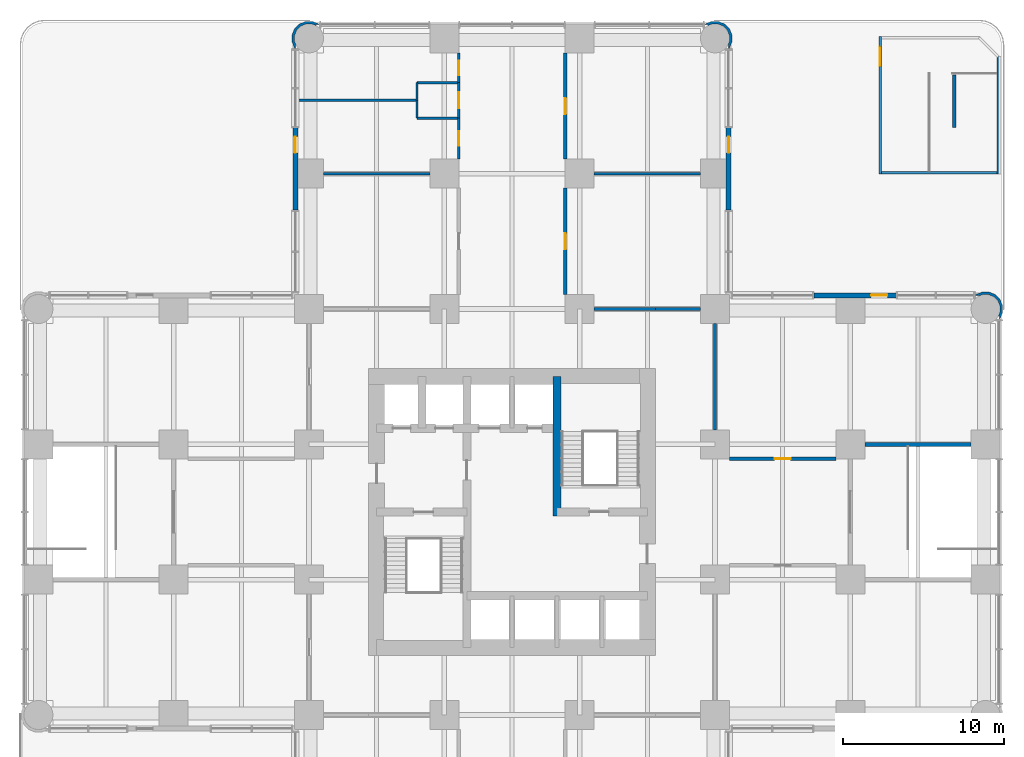
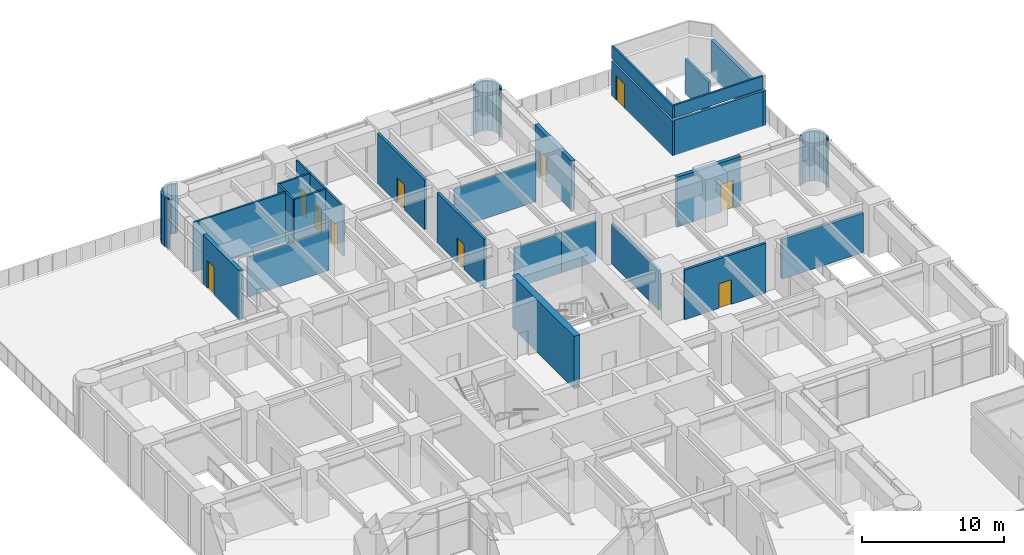
# One storey, part 12 of 21: 30 walls, 10 doors, 10 openings.
"""IFC4 building model written with IfcOpenShell, lengths in metres."""

import ifcopenshell
import ifcopenshell.guid

model = None  # the IFC model being written
_history = None  # IfcOwnerHistory: only IFC2X3 demands one
_inside = {}  # id of a spatial element -> (the spatial element, [elements in it])
_under = {}  # id of a project, library or spatial element -> (it, [spatial elements below it])
_declared = {}  # id of a project -> (the project, [libraries it declares])
_typed = {}  # id of a type object -> (the type object, [elements of that type])
_made_of = {}  # id of a material, layer set ... -> (it, [elements and type objects made of it])


def new_model(schema):
    """Start an empty IFC model of exactly this schema.

    Asked for "IFC4X3", IfcOpenShell would pick the latest addendum, in which some entities
    have other attributes; the version numbers below select the first issue.
    IFC2X3 requires an IfcOwnerHistory on every rooted entity: one is made here for all.
    """
    global model, _history
    if schema == "IFC4X3":
        model = ifcopenshell.file(schema_version=(4, 3, 0, 0))
    else:
        model = ifcopenshell.file(schema=schema)
    _inside.clear()
    _under.clear()
    _declared.clear()
    _typed.clear()
    _made_of.clear()
    _history = None
    if model.schema == "IFC2X3":
        org = make("IfcOrganization", Name="unknown")
        user = make(
            "IfcPersonAndOrganization",
            ThePerson=make("IfcPerson", FamilyName="unknown"),
            TheOrganization=org,
        )
        app = make(
            "IfcApplication",
            ApplicationDeveloper=org,
            Version="unknown",
            ApplicationFullName="unknown",
            ApplicationIdentifier="unknown",
        )
        _history = make(
            "IfcOwnerHistory",
            OwningUser=user,
            OwningApplication=app,
            ChangeAction="ADDED",
            CreationDate=0,
        )
    return model


def make(cls, **values):
    """One entity of the class cls with the attributes given. An attribute that is None is left unset."""
    return model.create_entity(
        cls, **{name: value for name, value in values.items() if value is not None}
    )


def rooted(cls, **values):
    """An entity with a GlobalId (a new one), such as an element, a storey or a relation."""
    return make(cls, GlobalId=ifcopenshell.guid.new(), OwnerHistory=_history, **values)


def si_unit(unit_type, name, prefix=None):
    """IfcSIUnit, for example si_unit("LENGTHUNIT", "METRE", prefix="MILLI")."""
    return make("IfcSIUnit", UnitType=unit_type, Prefix=prefix, Name=name)


def assignment(units):
    """IfcUnitAssignment: the units of a project."""
    return None if units is None else make("IfcUnitAssignment", Units=units)


def point(xyz):
    """IfcCartesianPoint."""
    return None if xyz is None else make("IfcCartesianPoint", Coordinates=xyz)


def direction(xyz):
    """IfcDirection."""
    return None if xyz is None else make("IfcDirection", DirectionRatios=xyz)


def frame(location, z_axis=None, x_axis=None):
    """IfcAxis2Placement3D, a coordinate frame: its origin and axes. An axis left out is left unset."""
    return make(
        "IfcAxis2Placement3D",
        Location=point(location),
        Axis=direction(z_axis),
        RefDirection=direction(x_axis),
    )


def frame_2d(location, x_axis=None):
    """IfcAxis2Placement2D, a coordinate frame in the plane: its origin and x axis."""
    return make(
        "IfcAxis2Placement2D", Location=point(location), RefDirection=direction(x_axis)
    )


def origin():
    """The frame at (0, 0, 0) with its axes left unset."""
    return frame((0.0, 0.0, 0.0))


def place(relative_to, where):
    """IfcLocalPlacement: puts the frame where relative to a parent placement (None: the world)."""
    return make(
        "IfcLocalPlacement", PlacementRelTo=relative_to, RelativePlacement=where
    )


def context(
    kind, dimensions, precision=None, world=None, true_north=None, identifier=None
):
    """IfcGeometricRepresentationContext, for example the 3D "Model" context."""
    return make(
        "IfcGeometricRepresentationContext",
        ContextIdentifier=identifier,
        ContextType=kind,
        CoordinateSpaceDimension=dimensions,
        Precision=precision,
        WorldCoordinateSystem=world,
        TrueNorth=true_north,
    )


def subcontext(parent, identifier, kind, view, scale=None):
    """IfcGeometricRepresentationSubContext, for example "Body" below "Model"."""
    return make(
        "IfcGeometricRepresentationSubContext",
        ContextIdentifier=identifier,
        ContextType=kind,
        ParentContext=parent,
        TargetScale=scale,
        TargetView=view,
    )


def project(units=None, contexts=None):
    """IfcProject with its units and contexts."""
    return rooted(
        "IfcProject",
        Name="project",
        RepresentationContexts=contexts,
        UnitsInContext=assignment(units),
    )


def spatial(cls, under=None, at=None, **own):
    """A site, building, storey or space (cls), placed at a placement, below another one or the project."""
    s = rooted(cls, ObjectPlacement=at, **own)
    if under is not None:
        _under.setdefault(under.id(), (under, []))[1].append(s)
    return s


def polyline(points):
    """IfcPolyline through the points."""
    return make("IfcPolyline", Points=[point(p) for p in points])


def profile(cls, at=None, kind="AREA", **sizes):
    """A parametric profile (cls). Its sizes go by their IFC names, for example OverallWidth=200.0."""
    return make(cls, ProfileType=kind, Position=at, **sizes)


def rectangle(**sizes):
    """IfcRectangleProfileDef."""
    return profile("IfcRectangleProfileDef", **sizes)


def outline(outer, holes=None, kind="AREA"):
    """IfcArbitraryClosedProfileDef: a profile drawn as a closed curve; with holes, ...WithVoids."""
    if holes is None:
        return make("IfcArbitraryClosedProfileDef", ProfileType=kind, OuterCurve=outer)
    return make(
        "IfcArbitraryProfileDefWithVoids",
        ProfileType=kind,
        OuterCurve=outer,
        InnerCurves=holes,
    )


def extrude(swept, where, along, depth):
    """IfcExtrudedAreaSolid: the profile swept, set in the frame where, extruded along a direction by depth."""
    return make(
        "IfcExtrudedAreaSolid",
        SweptArea=swept,
        Position=where,
        ExtrudedDirection=direction(along),
        Depth=depth,
    )


def shape(context_of_items, identifier, shape_type, items):
    """IfcShapeRepresentation: the items that make up one representation, for example the "Body"."""
    return make(
        "IfcShapeRepresentation",
        ContextOfItems=context_of_items,
        RepresentationIdentifier=identifier,
        RepresentationType=shape_type,
        Items=items,
    )


def material(Name=None, Category=None):
    """IfcMaterial."""
    return make("IfcMaterial", Name=Name, Category=Category)


def layer(
    of_material, thickness, ventilated=None, Name=None, Category=None, Priority=None
):
    """IfcMaterialLayer: one layer of a wall or slab, of a material (None: an air gap)."""
    return make(
        "IfcMaterialLayer",
        Material=of_material,
        LayerThickness=thickness,
        IsVentilated=ventilated,
        Name=Name,
        Category=Category,
        Priority=Priority,
    )


def layer_set(layers, Name=None):
    """IfcMaterialLayerSet."""
    return make("IfcMaterialLayerSet", MaterialLayers=layers, LayerSetName=Name)


def made_of(thing, what):
    """Note that an element or type object is made of a material, layer set ...; save() writes the relation."""
    if what is not None:
        _made_of.setdefault(what.id(), (what, []))[1].append(thing)
    return thing


def type_object(cls, material=None, **own):
    """A type object (cls), such as IfcWallType, which elements share."""
    return made_of(rooted(cls, **own), material)


def element(
    cls,
    number,
    at=None,
    inside=None,
    cuts=None,
    type_object=None,
    material=None,
    context=None,
    identifier="Body",
    shape_type=None,
    held_by="IfcProductDefinitionShape",
    body=None,
    shapes=None,
    **own,
):
    """One element of the class cls, such as IfcWall. Its Tag is "e" and its number.

    at: its placement. inside: the storey or other place that contains it. cuts: it is an
    opening in that element (IfcRelVoidsElement). A single representation is given by context,
    identifier, shape_type and body (its items); several are given by shapes. held_by: the class
    of the entity that holds the representations. save() writes the other relations.
    """
    e = rooted(cls, Tag="e%d" % number, ObjectPlacement=at, **own)
    if body is not None:
        shapes = [shape(context, identifier, shape_type, body)]
    if shapes is not None:
        e.Representation = make(held_by, Representations=shapes)
    if inside is not None:
        _inside.setdefault(inside.id(), (inside, []))[1].append(e)
    if cuts is not None:
        rooted(
            "IfcRelVoidsElement", RelatingBuildingElement=cuts, RelatedOpeningElement=e
        )
    if type_object is not None:
        _typed.setdefault(type_object.id(), (type_object, []))[1].append(e)
    return made_of(e, material)


def fill(opening, filler):
    """IfcRelFillsElement: the door or window that sits in an opening."""
    return rooted(
        "IfcRelFillsElement",
        RelatingOpeningElement=opening,
        RelatedBuildingElement=filler,
    )


def aggregate(whole, parts):
    """IfcRelAggregates: a whole, such as a stair, and the parts it consists of."""
    return rooted("IfcRelAggregates", RelatingObject=whole, RelatedObjects=parts)


def save(model, path):
    """Write the relations noted so far, then the file.

    IfcRelAggregates (storeys below a building ...), IfcRelContainedInSpatialStructure (elements
    in a storey), IfcRelDefinesByType, IfcRelAssociatesMaterial and IfcRelDeclares: one each for
    every whole, place, type object, material and project.
    """
    for whole, parts in _under.values():
        aggregate(whole, parts)
    for where, things in _inside.values():
        rooted(
            "IfcRelContainedInSpatialStructure",
            RelatedElements=things,
            RelatingStructure=where,
        )
    for kind, things in _typed.values():
        rooted("IfcRelDefinesByType", RelatedObjects=things, RelatingType=kind)
    for what, things in _made_of.values():
        rooted("IfcRelAssociatesMaterial", RelatedObjects=things, RelatingMaterial=what)
    for by, libraries in _declared.values():
        rooted("IfcRelDeclares", RelatingContext=by, RelatedDefinitions=libraries)
    model.write(path)


model = new_model("IFC4")

# Units and contexts
model_context = context("Model", 3, precision=1e-05, world=origin(), true_north=direction((0.0, 1.0)))
body_context = subcontext(model_context, "Body", "Model", "MODEL_VIEW")
ifc_project = project(units=[si_unit("LENGTHUNIT", "METRE"), si_unit("AREAUNIT", "SQUARE_METRE"), si_unit("VOLUMEUNIT", "CUBIC_METRE"), si_unit("PLANEANGLEUNIT", "RADIAN"), si_unit("MASSUNIT", "GRAM", prefix="KILO")], contexts=[model_context])

# Site, building, storey
site_placement = place(None, origin())
site = spatial("IfcSite", under=ifc_project, at=site_placement, CompositionType="ELEMENT")
building_placement = place(site_placement, origin())
building = spatial("IfcBuilding", under=site, at=building_placement, Name="Torre Alcanfor", CompositionType="ELEMENT")
storey_placement = place(building_placement, frame((0.0, 0.0, 24.0)))
storey = spatial("IfcBuildingStorey", under=building, at=storey_placement, Name="L05", CompositionType="ELEMENT", Elevation=24.0)

# Walls
ifc_material_1 = material(Name="Concrete block masonry, hollow blocks NMX-C-404 9 MPa", Category="masonry")
ifc_layer_1 = layer(ifc_material_1, 0.14990234375)
ifc_layer_set_1 = layer_set([ifc_layer_1], Name="Classroom partition 150")
wall_type_1 = type_object("IfcWallType", Name="Classroom partition 150", PredefinedType="PARTITIONING", material=ifc_layer_set_1)
wall_1_placement = place(storey_placement, frame((34.5, 50.39990234375, 0.0), z_axis=(0.0, 0.0, 1.0), x_axis=(1.0, 0.0, 0.0)))
element("IfcWall", 1, at=wall_1_placement, inside=storey, type_object=wall_type_1, Name="Partition L05-09 / L05-11", PredefinedType="PARTITIONING", context=body_context, shape_type="SweptSolid", body=[
    extrude(rectangle(XDim=6.60009765625, YDim=0.14990234375, at=frame_2d((3.300048828125, 0.0))), origin(), (0.0, 0.0, 1.0), 3.4091796875),
])
ifc_material_2 = material(Name="Concrete f'c 70 MPa", Category="concrete")
ifc_layer_2 = layer(ifc_material_2, 0.5)
ifc_layer_set_2 = layer_set([ifc_layer_2], Name="Core inner wall 500 f'c70")
wall_type_2 = type_object("IfcWallType", Name="Core inner wall 500 f'c70", PredefinedType="SHEAR", material=ifc_layer_set_2)
wall_2_placement = place(storey_placement, frame((32.199951171875, 29.14990234375, 0.0), z_axis=(0.0, 0.0, 1.0), x_axis=(0.0, 1.0, 0.0)))
element("IfcWall", 2, at=wall_2_placement, inside=storey, type_object=wall_type_2, Name="Core wall X322N L05", PredefinedType="SHEAR", context=body_context, shape_type="SweptSolid", body=[
    extrude(rectangle(XDim=8.650146484375, YDim=0.5, at=frame_2d((4.3251953125, 0.0))), origin(), (0.0, 0.0, 1.0), 4.5),
])

# Wall, opening, door
ifc_material_3 = material(Name="Limestone cladding", Category="masonry")
ifc_layer_3 = layer(ifc_material_3, 0.0400390625, Name="Facing")
ifc_material_4 = material(Name="Ventilated air cavity")
ifc_layer_4 = layer(ifc_material_4, 0.02001953125, ventilated=True, Name="Ventilated joint")
ifc_material_5 = material(Name="Mineral wool insulation", Category="insulation")
ifc_layer_5 = layer(ifc_material_5, 0.10009765625, Name="Insulation")
ifc_material_6 = material(Name="Concrete f'c 35 MPa", Category="concrete")
ifc_layer_6 = layer(ifc_material_6, 0.139892578125, Name="Backing")
ifc_layer_set_3 = layer_set([ifc_layer_3, ifc_layer_4, ifc_layer_5, ifc_layer_6], Name="External wall stone-clad 300")
wall_type_3 = type_object("IfcWallType", Name="External wall stone-clad 300", PredefinedType="SOLIDWALL", material=ifc_layer_set_3)
wall_3_placement = place(storey_placement, frame((53.2666015625, 42.85009765625, 0.0), z_axis=(0.0, 0.0, 1.0), x_axis=(-1.0, 0.0, 0.0)))
wall_3 = element("IfcWall", 3, at=wall_3_placement, inside=storey, type_object=wall_type_3, Name="External wall L05 9", PredefinedType="SOLIDWALL", context=body_context, shape_type="SweptSolid", body=[
    extrude(rectangle(XDim=5.13330078125, YDim=0.300048828125, at=frame_2d((2.566650390625, 0.0))), origin(), (0.0, 0.0, 1.0), 4.25),
])
opening_1_placement = place(wall_3_placement, frame((0.56689453125, 0.0, 0.0)))
opening_1 = element("IfcOpeningElement", 4, at=opening_1_placement, cuts=wall_3, Name="Opening D-T1", PredefinedType="OPENING", context=body_context, shape_type="SweptSolid", body=[
    extrude(rectangle(XDim=1.0, YDim=2.39990234375, at=frame_2d((0.5, 1.199951171875))), frame((0.0, 0.159912109375, 0.0), z_axis=(0.0, -1.0, 0.0), x_axis=(1.0, 0.0, 0.0)), (0.0, 0.0, 1.0), 0.320068359375),
])
ifc_material_7 = material(Name="Aluminium and glass", Category="aluminium")
door_type_1 = type_object("IfcDoorType", Name="Play deck door glazed 1000x2400", OperationType="SINGLE_SWING_RIGHT", PredefinedType="DOOR", material=ifc_material_7)
door_1_placement = place(opening_1_placement, origin())
door_1 = element("IfcDoor", 5, at=door_1_placement, inside=storey, type_object=door_type_1, Name="Play deck door L05 9.1", OperationType="SINGLE_SWING_RIGHT", OverallHeight=2.39990234375, OverallWidth=1.0, PredefinedType="DOOR", context=body_context, shape_type="SweptSolid", body=[
    extrude(rectangle(XDim=1.0, YDim=2.39990234375, at=frame_2d((0.5, 1.199951171875))), frame((0.0, 0.02490234375, 0.0), z_axis=(0.0, -1.0, 0.0), x_axis=(1.0, 0.0, 0.0)), (0.0, 0.0, 1.0), 0.050048828125),
])
fill(opening_1, door_1)

wall_4_placement = place(storey_placement, frame((42.85009765625, 48.13330078125, 0.0), z_axis=(0.0, 0.0, 1.0), x_axis=(0.0, 1.0, 0.0)))
wall_4 = element("IfcWall", 6, at=wall_4_placement, inside=storey, type_object=wall_type_3, Name="External wall L05 10", PredefinedType="SOLIDWALL", context=body_context, shape_type="SweptSolid", body=[
    extrude(rectangle(XDim=5.13330078125, YDim=0.300048828125, at=frame_2d((2.566650390625, 0.0))), origin(), (0.0, 0.0, 1.0), 4.25),
])
opening_2_placement = place(wall_4_placement, frame((3.56689453125, 0.0, 0.0)))
opening_2 = element("IfcOpeningElement", 7, at=opening_2_placement, cuts=wall_4, Name="Opening D-T1", PredefinedType="OPENING", context=body_context, shape_type="SweptSolid", body=[
    extrude(rectangle(XDim=1.0, YDim=2.39990234375, at=frame_2d((0.5, 1.199951171875))), frame((0.0, 0.159912109375, 0.0), z_axis=(0.0, -1.0, 0.0), x_axis=(1.0, 0.0, 0.0)), (0.0, 0.0, 1.0), 0.320068359375),
])
door_2_placement = place(opening_2_placement, origin())
door_2 = element("IfcDoor", 8, at=door_2_placement, inside=storey, type_object=door_type_1, Name="Play deck door L05 10.1", OperationType="SINGLE_SWING_LEFT", OverallHeight=2.39990234375, OverallWidth=1.0, PredefinedType="DOOR", context=body_context, shape_type="SweptSolid", body=[
    extrude(rectangle(XDim=1.0, YDim=2.39990234375, at=frame_2d((0.5, 1.199951171875))), frame((0.0, 0.02490234375, 0.0), z_axis=(0.0, -1.0, 0.0), x_axis=(1.0, 0.0, 0.0)), (0.0, 0.0, 1.0), 0.050048828125),
])
fill(opening_2, door_2)

wall_5_placement = place(storey_placement, frame((15.949951171875, 53.2666015625, 0.0), z_axis=(0.0, 0.0, 1.0), x_axis=(0.0, -1.0, 0.0)))
wall_5 = element("IfcWall", 9, at=wall_5_placement, inside=storey, type_object=wall_type_3, Name="External wall L05 12", PredefinedType="SOLIDWALL", context=body_context, shape_type="SweptSolid", body=[
    extrude(rectangle(XDim=5.13330078125, YDim=0.300048828125, at=frame_2d((2.566650390625, 0.0))), origin(), (0.0, 0.0, 1.0), 4.25),
])
opening_3_placement = place(wall_5_placement, frame((0.56689453125, 0.0, 0.0)))
opening_3 = element("IfcOpeningElement", 10, at=opening_3_placement, cuts=wall_5, Name="Opening D-T1", PredefinedType="OPENING", context=body_context, shape_type="SweptSolid", body=[
    extrude(rectangle(XDim=1.0, YDim=2.39990234375, at=frame_2d((0.5, 1.199951171875))), frame((0.0, 0.159912109375, 0.0), z_axis=(0.0, -1.0, 0.0), x_axis=(1.0, 0.0, 0.0)), (0.0, 0.0, 1.0), 0.320068359375),
])
door_3_placement = place(opening_3_placement, origin())
door_3 = element("IfcDoor", 11, at=door_3_placement, inside=storey, type_object=door_type_1, Name="Play deck door L05 12.1", OperationType="SINGLE_SWING_RIGHT", OverallHeight=2.39990234375, OverallWidth=1.0, PredefinedType="DOOR", context=body_context, shape_type="SweptSolid", body=[
    extrude(rectangle(XDim=1.0, YDim=2.39990234375, at=frame_2d((0.5, 1.199951171875))), frame((0.0, 0.02490234375, 0.0), z_axis=(0.0, -1.0, 0.0), x_axis=(1.0, 0.0, 0.0)), (0.0, 0.0, 1.0), 0.050048828125),
])
fill(opening_3, door_3)

# Walls
ifc_material_8 = material(Name="Concrete f'c 35 MPa", Category="concrete")
ifc_layer_7 = layer(ifc_material_8, 0.14990234375)
ifc_layer_set_4 = layer_set([ifc_layer_7], Name="Head-house parapet 150")
wall_type_4 = type_object("IfcWallType", Name="Head-house parapet 150", PredefinedType="PARAPET", material=ifc_layer_set_4)
wall_6_placement = place(storey_placement, frame((52.25, 50.375, 3.199951171875), z_axis=(0.0, 0.0, 1.0), x_axis=(0.0, 1.0, 0.0)))
element("IfcWall", 12, at=wall_6_placement, inside=storey, type_object=wall_type_4, Name="Head-house parapet SS4 west", PredefinedType="PARAPET", context=body_context, shape_type="SweptSolid", body=[
    extrude(rectangle(XDim=8.550048828125, YDim=0.14990234375, at=frame_2d((4.27490234375, 0.0))), origin(), (0.0, 0.0, 1.0), 1.10009765625),
])
wall_7_placement = place(storey_placement, frame((52.324951171875, 50.449951171875, 3.199951171875), z_axis=(0.0, 0.0, 1.0), x_axis=(1.0, 0.0, 0.0)))
element("IfcWall", 13, at=wall_7_placement, inside=storey, type_object=wall_type_4, Name="Head-house parapet SS4 south", PredefinedType="PARAPET", context=body_context, shape_type="SweptSolid", body=[
    extrude(rectangle(XDim=7.175048828125, YDim=0.14990234375, at=frame_2d((3.58740234375, 0.0))), origin(), (0.0, 0.0, 1.0), 1.10009765625),
])
ifc_layer_8 = layer(ifc_material_3, 0.0400390625, Name="Facing")
ifc_layer_9 = layer(ifc_material_4, 0.02001953125, ventilated=True, Name="Ventilated joint")
ifc_layer_10 = layer(ifc_material_5, 0.10009765625, Name="Insulation")
ifc_layer_11 = layer(ifc_material_6, 0.139892578125, Name="Backing")
ifc_layer_set_5 = layer_set([ifc_layer_8, ifc_layer_9, ifc_layer_10, ifc_layer_11], Name="Rounded corner pier stone-clad 300")
wall_type_5 = type_object("IfcWallType", Name="Rounded corner pier stone-clad 300", PredefinedType="SOLIDWALL", material=ifc_layer_set_5)
wall_8_placement = place(storey_placement, frame((59.57886844, 41.405219407, 0.0), z_axis=(0.0, 0.0, 1.0), x_axis=(0.707106781187, 0.707106781187, 0.0)))
element("IfcWall", 14, at=wall_8_placement, inside=storey, type_object=wall_type_5, Name="Corner pier L05 18", PredefinedType="SOLIDWALL", context=body_context, shape_type="SweptSolid", body=[
    extrude(outline(polyline([(0.4704566786812338, 0.0727246962456089), (0.7684220850113073, 0.37069010257568236), (0.9296617660728883, 0.7604965263840868), (0.9298343995643888, 1.1822401461201062), (0.7684220850113073, 1.57187393643701), (0.4702840451897331, 1.870011976258584), (0.3147412693476729, 1.9344042685883163), (0.2940252503675981, 1.961335093262413), (0.2786608696240428, 1.9494233823488702), (0.08082288836433005, 2.031251657320165), (0.011942125255581804, 2.0314242908116658), (0.17421760726616653, 1.869148808801081), (0.1329582027975178, 1.8375568798564672), (0.38016936262640855, 1.735012585905098), (0.6335953281493216, 1.4815866203821848), (0.770838953892316, 1.1506482171754924), (0.770838953892316, 0.7922610888202012), (0.6335953281493215, 0.4609774186305077), (0.38016936262640855, 0.20755145310759462), (0.13295820279751788, 0.10500715915622519), (0.17387234028316528, 0.07341523021161137), (0.01176949176408125, -0.08868761830747265), (0.08065025487282942, -0.08851498481597203), (0.2784882361325422, -0.00668670984467723), (0.2941978838590988, -0.018598420758220158), (0.3147412693476728, 0.008159770424376267), (0.4704566786812338, 0.0727246962456089)])), origin(), (0.0, 0.0, 1.0), 4.25),
])
wall_9_placement = place(storey_placement, frame((42.77886844, 58.205219407, 0.0), z_axis=(0.0, 0.0, 1.0), x_axis=(0.707106781187, 0.707106781187, 0.0)))
element("IfcWall", 15, at=wall_9_placement, inside=storey, type_object=wall_type_5, Name="Corner pier L05 19", PredefinedType="SOLIDWALL", context=body_context, shape_type="SweptSolid", body=[
    extrude(outline(polyline([(0.4702840451897332, 0.07262111615070246), (0.7684220850113074, 0.3707591559722766), (0.9298343995643888, 0.7603929462891804), (0.9296617660728882, 1.1821365660252), (0.7684220850113073, 1.5719429898336041), (0.47045667868123375, 1.8699083961636775), (0.31474126934767277, 1.9344733219849104), (0.29419788385909884, 1.9612315131675069), (0.27848823613254214, 1.9493198022539637), (0.0806502548728294, 2.0311480772252586), (0.011769491764081152, 2.0313207107167592), (0.17387234028316523, 1.8692178621976752), (0.1329582027975179, 1.8376259332530616), (0.38016936262640855, 1.7350816393016921), (0.6335953281493216, 1.481655673778779), (0.7708389538923159, 1.1503720035890854), (0.770838953892316, 0.7919848752337942), (0.6335953281493216, 0.4610464720271019), (0.38016936262640855, 0.20762050650418884), (0.13295820279751788, 0.10507621255281942), (0.17421760726616653, 0.07348428360820558), (0.011942125255581873, -0.08879119840237906), (0.08082288836433005, -0.08861856491087844), (0.2786608696240428, -0.00679028993958361), (0.2940252503675982, -0.018702000853126538), (0.31474126934767277, 0.008228823820970482), (0.4702840451897332, 0.07262111615070246)])), origin(), (0.0, 0.0, 1.0), 4.25),
])
wall_10_placement = place(storey_placement, frame((17.394780593, 59.57886844, 0.0), z_axis=(0.0, 0.0, 1.0), x_axis=(-0.707106781187, 0.707106781187, 0.0)))
element("IfcWall", 16, at=wall_10_placement, inside=storey, type_object=wall_type_5, Name="Corner pier L05 20", PredefinedType="SOLIDWALL", context=body_context, shape_type="SweptSolid", body=[
    extrude(outline(polyline([(0.011734965065779118, -0.08872214500577479), (0.08061572817452728, -0.08854951151427418), (0.2784537094342401, -0.006721236542979375), (0.29416335716079667, -0.018632947456522275), (0.3147067426493707, 0.008125243726074122), (0.4704221519829317, 0.07269016954730678), (0.7685601918045059, 0.37082820936888095), (0.9296272393745861, 0.7604619996857847), (0.9297998728660867, 1.182205619421804), (0.7683875583130051, 1.5718394097387078), (0.47024951849143093, 1.869977449560282), (0.3147067426493707, 1.934369741890014), (0.29399072366929613, 1.9613005665641112), (0.2786263429257406, 1.949388855650568), (0.08078836166602787, 2.031217130621863), (0.01190759855727963, 2.0313897641133636), (0.17418308056786436, 1.8691142821027789), (0.13292367609921574, 1.8375223531581653), (0.380307469419607, 1.7351506926982965), (0.6337334349425201, 1.4817247271753833), (0.7708044271940139, 1.1506136904771902), (0.770804427194014, 0.7922265621218991), (0.6335608014510195, 0.4609428919322056), (0.3801348359281064, 0.2075169264092925), (0.13292367609921574, 0.10497263245792307), (0.17401044707636376, 0.07355333700480987), (0.011734965065779118, -0.08872214500577479)])), origin(), (0.0, 0.0, 1.0), 4.25),
])

# Wall, opening, door
ifc_material_9 = material(Name="Concrete block masonry, hollow blocks NMX-C-404 9 MPa", Category="masonry")
ifc_layer_12 = layer(ifc_material_9, 0.199951171875)
ifc_layer_set_6 = layer_set([ifc_layer_12], Name="School corridor wall 200")
wall_type_6 = type_object("IfcWallType", Name="School corridor wall 200", PredefinedType="PARTITIONING", material=ifc_layer_set_6)
wall_11_placement = place(storey_placement, frame((49.5, 32.699951171875, 0.0), z_axis=(0.0, 0.0, 1.0), x_axis=(-1.0, 0.0, 0.0)))
wall_11 = element("IfcWall", 17, at=wall_11_placement, inside=storey, type_object=wall_type_6, Name="Partition L05-07 / L05-CORR4", PredefinedType="PARTITIONING", context=body_context, shape_type="SweptSolid", body=[
    extrude(rectangle(XDim=6.60009765625, YDim=0.199951171875, at=frame_2d((3.300048828125, 0.0))), origin(), (0.0, 0.0, 1.0), 4.25),
])
opening_4_placement = place(wall_11_placement, frame((2.800048828125, 0.0, 0.0)))
opening_4 = element("IfcOpeningElement", 18, at=opening_4_placement, cuts=wall_11, Name="Opening D-C1", PredefinedType="OPENING", context=body_context, shape_type="SweptSolid", body=[
    extrude(rectangle(XDim=1.0, YDim=2.10009765625, at=frame_2d((0.5, 1.050048828125))), frame((0.0, 0.10986328125, 0.0), z_axis=(0.0, -1.0, 0.0), x_axis=(1.0, 0.0, 0.0)), (0.0, 0.0, 1.0), 0.219970703125),
])
ifc_material_10 = material(Name="Timber", Category="wood")
door_type_2 = type_object("IfcDoorType", Name="Classroom door 1000x2100", OperationType="SINGLE_SWING_RIGHT", PredefinedType="DOOR", material=ifc_material_10)
door_4_placement = place(opening_4_placement, frame((1.0, 0.0, 0.0), z_axis=(0.0, 0.0, 1.0), x_axis=(-1.0, 0.0, 0.0)))
door_4 = element("IfcDoor", 19, at=door_4_placement, inside=storey, type_object=door_type_2, Name="Door L05-07 staff workroom", OperationType="SINGLE_SWING_RIGHT", OverallHeight=2.10009765625, OverallWidth=1.0, PredefinedType="DOOR", context=body_context, shape_type="SweptSolid", body=[
    extrude(rectangle(XDim=1.0, YDim=2.10009765625, at=frame_2d((0.5, 1.050048828125))), frame((0.0, 0.025146484375, 0.0), z_axis=(0.0, -1.0, 0.0), x_axis=(1.0, 0.0, 0.0)), (0.0, 0.0, 1.0), 0.050048828125),
])
fill(opening_4, door_4)

# Wall
wall_12_placement = place(storey_placement, frame((42.0, 34.5, 0.0), z_axis=(0.0, 0.0, 1.0), x_axis=(0.0, 1.0, 0.0)))
element("IfcWall", 20, at=wall_12_placement, inside=storey, type_object=wall_type_6, Name="Partition L05-07 / L05-LLE", PredefinedType="PARTITIONING", context=body_context, shape_type="SweptSolid", body=[
    extrude(rectangle(XDim=6.60009765625, YDim=0.199951171875, at=frame_2d((3.300048828125, 0.0))), origin(), (0.0, 0.0, 1.0), 3.4091796875),
])

# Wall, opening, door
wall_13_placement = place(storey_placement, frame((32.699951171875, 42.89990234375, 0.0), z_axis=(0.0, 0.0, 1.0), x_axis=(0.0, 1.0, 0.0)))
wall_13 = element("IfcWall", 21, at=wall_13_placement, inside=storey, type_object=wall_type_6, Name="Partition L05-09 / L05-CORR", PredefinedType="PARTITIONING", context=body_context, shape_type="SweptSolid", body=[
    extrude(rectangle(XDim=6.60009765625, YDim=0.199951171875, at=frame_2d((3.300048828125, 0.0))), origin(), (0.0, 0.0, 1.0), 4.25),
])
opening_5_placement = place(wall_13_placement, frame((2.800048828125, 0.0, 0.0)))
opening_5 = element("IfcOpeningElement", 22, at=opening_5_placement, cuts=wall_13, Name="Opening D-C1", PredefinedType="OPENING", context=body_context, shape_type="SweptSolid", body=[
    extrude(rectangle(XDim=1.0, YDim=2.10009765625, at=frame_2d((0.5, 1.050048828125))), frame((0.0, 0.10986328125, 0.0), z_axis=(0.0, -1.0, 0.0), x_axis=(1.0, 0.0, 0.0)), (0.0, 0.0, 1.0), 0.219970703125),
])
door_5_placement = place(opening_5_placement, frame((1.0, 0.0, 0.0), z_axis=(0.0, 0.0, 1.0), x_axis=(-1.0, 0.0, 0.0)))
door_5 = element("IfcDoor", 23, at=door_5_placement, inside=storey, type_object=door_type_2, Name="Door L05-09 classroom", OperationType="SINGLE_SWING_RIGHT", OverallHeight=2.10009765625, OverallWidth=1.0, PredefinedType="DOOR", context=body_context, shape_type="SweptSolid", body=[
    extrude(rectangle(XDim=1.0, YDim=2.10009765625, at=frame_2d((0.5, 1.050048828125))), frame((0.0, 0.025146484375, 0.0), z_axis=(0.0, -1.0, 0.0), x_axis=(1.0, 0.0, 0.0)), (0.0, 0.0, 1.0), 0.050048828125),
])
fill(opening_5, door_5)

# Walls
wall_14_placement = place(storey_placement, frame((38.300048828125, 42.0, 0.0), z_axis=(0.0, 0.0, 1.0), x_axis=(-1.0, 0.0, 0.0)))
element("IfcWall", 24, at=wall_14_placement, inside=storey, type_object=wall_type_6, Name="Partition L05-09 / L05-CORR", PredefinedType="PARTITIONING", context=body_context, shape_type="SweptSolid", body=[
    extrude(rectangle(XDim=3.800048828125, YDim=0.199951171875, at=frame_2d((1.89990234375, 0.0))), origin(), (0.0, 0.0, 1.0), 3.4091796875),
])
wall_15_placement = place(storey_placement, frame((41.10009765625, 42.0, 0.0), z_axis=(0.0, 0.0, 1.0), x_axis=(-1.0, 0.0, 0.0)))
element("IfcWall", 25, at=wall_15_placement, inside=storey, type_object=wall_type_6, Name="Partition L05-09 / L05-LLE", PredefinedType="PARTITIONING", context=body_context, shape_type="SweptSolid", body=[
    extrude(rectangle(XDim=2.800048828125, YDim=0.199951171875, at=frame_2d((1.39990234375, 0.0))), origin(), (0.0, 0.0, 1.0), 3.4091796875),
])

# Wall, opening, door
wall_16_placement = place(storey_placement, frame((32.699951171875, 51.300048828125, 0.0), z_axis=(0.0, 0.0, 1.0), x_axis=(0.0, 1.0, 0.0)))
wall_16 = element("IfcWall", 26, at=wall_16_placement, inside=storey, type_object=wall_type_6, Name="Partition L05-11 / L05-CORR", PredefinedType="PARTITIONING", context=body_context, shape_type="SweptSolid", body=[
    extrude(rectangle(XDim=6.599853515625, YDim=0.199951171875, at=frame_2d((3.2998046875, 0.0))), origin(), (0.0, 0.0, 1.0), 4.25),
])
opening_6_placement = place(wall_16_placement, frame((2.800048828125, 0.0, 0.0)))
opening_6 = element("IfcOpeningElement", 27, at=opening_6_placement, cuts=wall_16, Name="Opening D-C1", PredefinedType="OPENING", context=body_context, shape_type="SweptSolid", body=[
    extrude(rectangle(XDim=1.0, YDim=2.10009765625, at=frame_2d((0.5, 1.050048828125))), frame((0.0, 0.10986328125, 0.0), z_axis=(0.0, -1.0, 0.0), x_axis=(1.0, 0.0, 0.0)), (0.0, 0.0, 1.0), 0.219970703125),
])
door_6_placement = place(opening_6_placement, frame((1.0, 0.0, 0.0), z_axis=(0.0, 0.0, 1.0), x_axis=(-1.0, 0.0, 0.0)))
door_6 = element("IfcDoor", 28, at=door_6_placement, inside=storey, type_object=door_type_2, Name="Door L05-11 classroom", OperationType="SINGLE_SWING_RIGHT", OverallHeight=2.10009765625, OverallWidth=1.0, PredefinedType="DOOR", context=body_context, shape_type="SweptSolid", body=[
    extrude(rectangle(XDim=1.0, YDim=2.10009765625, at=frame_2d((0.5, 1.050048828125))), frame((0.0, 0.025146484375, 0.0), z_axis=(0.0, -1.0, 0.0), x_axis=(1.0, 0.0, 0.0)), (0.0, 0.0, 1.0), 0.050048828125),
])
fill(opening_6, door_6)

# Wall
ifc_material_11 = material(Name="Reinforced concrete block masonry, hollow blocks NMX-C-404 9 MPa", Category="masonry")
ifc_layer_13 = layer(ifc_material_11, 0.25)
ifc_layer_set_7 = layer_set([ifc_layer_13], Name="Stair enclosure wall 250 EI 120")
wall_type_7 = type_object("IfcWallType", Name="Stair enclosure wall 250 EI 120", PredefinedType="SOLIDWALL", material=ifc_layer_set_7)
wall_17_placement = place(storey_placement, frame((51.300048828125, 33.60009765625, 0.0), z_axis=(0.0, 0.0, 1.0), x_axis=(1.0, 0.0, 0.0)))
element("IfcWall", 29, at=wall_17_placement, inside=storey, type_object=wall_type_7, Name="Partition L05-SS2 / L05-07", PredefinedType="SOLIDWALL", context=body_context, shape_type="SweptSolid", body=[
    extrude(rectangle(XDim=6.599853515625, YDim=0.25, at=frame_2d((3.2998046875, 0.0))), origin(), (0.0, 0.0, 1.0), 3.4091796875),
])

# Wall, opening, door
ifc_material_12 = material(Name="Concrete f'c 35 MPa", Category="concrete")
ifc_layer_14 = layer(ifc_material_12, 0.14990234375)
ifc_layer_set_8 = layer_set([ifc_layer_14], Name="Stair head-house wall 150 EI 120")
wall_type_8 = type_object("IfcWallType", Name="Stair head-house wall 150 EI 120", PredefinedType="SOLIDWALL", material=ifc_layer_set_8)
wall_18_placement = place(storey_placement, frame((52.25, 50.375, 0.0), z_axis=(0.0, 0.0, 1.0), x_axis=(0.0, 1.0, 0.0)))
wall_18 = element("IfcWall", 30, at=wall_18_placement, inside=storey, type_object=wall_type_8, Name="Stair head-house wall SS4 west", PredefinedType="SOLIDWALL", context=body_context, shape_type="SweptSolid", body=[
    extrude(rectangle(XDim=8.550048828125, YDim=0.14990234375, at=frame_2d((4.27490234375, 0.0))), origin(), (0.0, 0.0, 1.0), 3.0),
])
opening_7_placement = place(wall_18_placement, frame((6.699951171875, 0.0, 0.0)))
opening_7 = element("IfcOpeningElement", 31, at=opening_7_placement, cuts=wall_18, Name="Opening D-L1", PredefinedType="OPENING", context=body_context, shape_type="SweptSolid", body=[
    extrude(rectangle(XDim=1.199951171875, YDim=2.10009765625, at=frame_2d((0.60009765625, 1.050048828125))), frame((0.0, 0.0849609375, 0.0), z_axis=(0.0, -1.0, 0.0), x_axis=(1.0, 0.0, 0.0)), (0.0, 0.0, 1.0), 0.169921875),
])
ifc_material_13 = material(Name="Galvanised steel sheet ASTM A653", Category="steel")
door_type_3 = type_object("IfcDoorType", Name="Lobby door FD120 1200x2100", OperationType="SINGLE_SWING_LEFT", PredefinedType="DOOR", material=ifc_material_13)
door_7_placement = place(opening_7_placement, origin())
door_7 = element("IfcDoor", 32, at=door_7_placement, inside=storey, type_object=door_type_3, Name="Door SS4 head-house from terrace", OperationType="SINGLE_SWING_RIGHT", OverallHeight=2.10009765625, OverallWidth=1.199951171875, PredefinedType="DOOR", context=body_context, shape_type="SweptSolid", body=[
    extrude(rectangle(XDim=1.199951171875, YDim=2.10009765625, at=frame_2d((0.60009765625, 1.050048828125))), frame((0.0, 0.02490234375, 0.0), z_axis=(0.0, -1.0, 0.0), x_axis=(1.0, 0.0, 0.0)), (0.0, 0.0, 1.0), 0.050048828125),
])
fill(opening_7, door_7)

# Walls
wall_19_placement = place(storey_placement, frame((52.324951171875, 50.449951171875, 0.0), z_axis=(0.0, 0.0, 1.0), x_axis=(1.0, 0.0, 0.0)))
element("IfcWall", 33, at=wall_19_placement, inside=storey, type_object=wall_type_8, Name="Stair head-house wall SS4 south", PredefinedType="SOLIDWALL", context=body_context, shape_type="SweptSolid", body=[
    extrude(rectangle(XDim=7.175048828125, YDim=0.14990234375, at=frame_2d((3.58740234375, 0.0))), origin(), (0.0, 0.0, 1.0), 3.0),
])
ifc_material_14 = material(Name="Concrete f'c 35 MPa", Category="concrete")
ifc_layer_15 = layer(ifc_material_14, 0.25)
ifc_layer_set_9 = layer_set([ifc_layer_15], Name="Stair head-house wall 250 EI 120")
wall_type_9 = type_object("IfcWallType", Name="Stair head-house wall 250 EI 120", PredefinedType="SOLIDWALL", material=ifc_layer_set_9)
wall_20_placement = place(storey_placement, frame((59.625, 50.375, 0.0), z_axis=(0.0, 0.0, 1.0), x_axis=(0.0, 1.0, 0.0)))
element("IfcWall", 34, at=wall_20_placement, inside=storey, type_object=wall_type_9, Name="Stair head-house wall SS4 east", PredefinedType="SOLIDWALL", context=body_context, shape_type="SweptSolid", body=[
    extrude(rectangle(XDim=7.300048828125, YDim=0.25, at=frame_2d((3.64990234375, 0.0))), origin(), (0.0, 0.0, 1.0), 3.0),
])
ifc_material_15 = material(Name="Concrete f'c 35 MPa", Category="concrete")
ifc_layer_16 = layer(ifc_material_15, 0.199951171875)
ifc_layer_set_10 = layer_set([ifc_layer_16], Name="Stair spine wall 200")
wall_type_10 = type_object("IfcWallType", Name="Stair spine wall 200", PredefinedType="SOLIDWALL", material=ifc_layer_set_10)
wall_21_placement = place(storey_placement, frame((56.85009765625, 56.52490234375, 0.0), z_axis=(0.0, 0.0, 1.0), x_axis=(0.0, -1.0, 0.0)))
element("IfcWall", 35, at=wall_21_placement, inside=storey, type_object=wall_type_10, Name="Stair spine wall SS4 L05", PredefinedType="SOLIDWALL", context=body_context, shape_type="SweptSolid", body=[
    extrude(rectangle(XDim=3.260009765625, YDim=0.199951171875, at=frame_2d((1.6298828125, 0.0))), origin(), (0.0, 0.0, 1.0), 3.0),
])
ifc_material_16 = material(Name="Cement board on steel studs", Category="steel")
ifc_layer_17 = layer(ifc_material_16, 0.14990234375)
ifc_layer_set_11 = layer_set([ifc_layer_17], Name="Wet area partition 150")
wall_type_11 = type_object("IfcWallType", Name="Wet area partition 150", PredefinedType="PARTITIONING", material=ifc_layer_set_11)
wall_22_placement = place(storey_placement, frame((23.5, 54.949951171875, 0.0), z_axis=(0.0, 0.0, 1.0), x_axis=(0.0, -1.0, 0.0)))
element("IfcWall", 36, at=wall_22_placement, inside=storey, type_object=wall_type_11, Name="Partition L05-WCN1 / L05-WCN2", PredefinedType="PARTITIONING", context=body_context, shape_type="SweptSolid", body=[
    extrude(rectangle(XDim=1.099853515625, YDim=0.14990234375, at=frame_2d((0.5498046875, 0.0))), origin(), (0.0, 0.0, 1.0), 4.25),
])
wall_23_placement = place(storey_placement, frame((23.5, 53.85009765625, 0.0), z_axis=(0.0, 0.0, 1.0), x_axis=(1.0, 0.0, 0.0)))
element("IfcWall", 37, at=wall_23_placement, inside=storey, type_object=wall_type_11, Name="Partition L05-WCN1 / L05-WCN2", PredefinedType="PARTITIONING", context=body_context, shape_type="SweptSolid", body=[
    extrude(rectangle(XDim=2.60009765625, YDim=0.14990234375, at=frame_2d((1.300048828125, 0.0))), origin(), (0.0, 0.0, 1.0), 4.25),
])
wall_24_placement = place(storey_placement, frame((15.97412109375, 54.949951171875, 0.0), z_axis=(0.0, 0.0, 1.0), x_axis=(1.0, 0.0, 0.0)))
element("IfcWall", 38, at=wall_24_placement, inside=storey, type_object=wall_type_11, Name="Partition L05-WCN1 / L05-WCN3", PredefinedType="PARTITIONING", context=body_context, shape_type="SweptSolid", body=[
    extrude(rectangle(XDim=7.52587890625, YDim=0.14990234375, at=frame_2d((3.762939453125, 0.0))), origin(), (0.0, 0.0, 1.0), 4.25),
])
wall_25_placement = place(storey_placement, frame((24.300048828125, 50.39990234375, 0.0), z_axis=(0.0, 0.0, 1.0), x_axis=(-1.0, 0.0, 0.0)))
element("IfcWall", 39, at=wall_25_placement, inside=storey, type_object=wall_type_11, Name="Partition L05-WCN1 / L05-10", PredefinedType="PARTITIONING", context=body_context, shape_type="SweptSolid", body=[
    extrude(rectangle(XDim=6.60009765625, YDim=0.14990234375, at=frame_2d((3.300048828125, 0.0))), origin(), (0.0, 0.0, 1.0), 3.4091796875),
])

# Wall, opening, door
wall_26_placement = place(storey_placement, frame((26.10009765625, 53.85009765625, 0.0), z_axis=(0.0, 0.0, 1.0), x_axis=(0.0, -1.0, 0.0)))
wall_26 = element("IfcWall", 40, at=wall_26_placement, inside=storey, type_object=wall_type_11, Name="Partition L05-WCN1 / L05-CORR", PredefinedType="PARTITIONING", context=body_context, shape_type="SweptSolid", body=[
    extrude(rectangle(XDim=2.550048828125, YDim=0.14990234375, at=frame_2d((1.27490234375, 0.0))), origin(), (0.0, 0.0, 1.0), 4.25),
])
opening_8_placement = place(wall_26_placement, frame((0.824951171875, 0.0, 0.0)))
opening_8 = element("IfcOpeningElement", 41, at=opening_8_placement, cuts=wall_26, Name="Opening D-W1", PredefinedType="OPENING", context=body_context, shape_type="SweptSolid", body=[
    extrude(rectangle(XDim=0.89990234375, YDim=2.10009765625, at=frame_2d((0.449951171875, 1.050048828125))), frame((0.0, 0.0849609375, 0.0), z_axis=(0.0, -1.0, 0.0), x_axis=(1.0, 0.0, 0.0)), (0.0, 0.0, 1.0), 0.169921875),
])
ifc_material_17 = material(Name="Timber", Category="wood")
door_type_4 = type_object("IfcDoorType", Name="Toilet door 900x2100", OperationType="SINGLE_SWING_LEFT", PredefinedType="DOOR", material=ifc_material_17)
door_8_placement = place(opening_8_placement, frame((0.89990234375, 0.0, 0.0), z_axis=(0.0, 0.0, 1.0), x_axis=(-1.0, 0.0, 0.0)))
door_8 = element("IfcDoor", 42, at=door_8_placement, inside=storey, type_object=door_type_4, Name="Door L05-WCN1 boys toilets", OperationType="SINGLE_SWING_RIGHT", OverallHeight=2.10009765625, OverallWidth=0.89990234375, PredefinedType="DOOR", context=body_context, shape_type="SweptSolid", body=[
    extrude(rectangle(XDim=0.89990234375, YDim=2.10009765625, at=frame_2d((0.449951171875, 1.050048828125))), frame((0.0, 0.025146484375, 0.0), z_axis=(0.0, -1.0, 0.0), x_axis=(1.0, 0.0, 0.0)), (0.0, 0.0, 1.0), 0.050048828125),
])
fill(opening_8, door_8)

# Walls
wall_27_placement = place(storey_placement, frame((23.5, 54.949951171875, 0.0), z_axis=(0.0, 0.0, 1.0), x_axis=(0.0, 1.0, 0.0)))
element("IfcWall", 43, at=wall_27_placement, inside=storey, type_object=wall_type_11, Name="Partition L05-WCN2 / L05-WCN3", PredefinedType="PARTITIONING", context=body_context, shape_type="SweptSolid", body=[
    extrude(rectangle(XDim=1.10009765625, YDim=0.14990234375, at=frame_2d((0.550048828125, 0.0))), origin(), (0.0, 0.0, 1.0), 4.25),
])
wall_28_placement = place(storey_placement, frame((23.5, 56.050048828125, 0.0), z_axis=(0.0, 0.0, 1.0), x_axis=(1.0, 0.0, 0.0)))
element("IfcWall", 44, at=wall_28_placement, inside=storey, type_object=wall_type_11, Name="Partition L05-WCN2 / L05-WCN3", PredefinedType="PARTITIONING", context=body_context, shape_type="SweptSolid", body=[
    extrude(rectangle(XDim=2.60009765625, YDim=0.14990234375, at=frame_2d((1.300048828125, 0.0))), origin(), (0.0, 0.0, 1.0), 4.25),
])

# Wall, opening, door
wall_29_placement = place(storey_placement, frame((26.10009765625, 56.050048828125, 0.0), z_axis=(0.0, 0.0, 1.0), x_axis=(0.0, -1.0, 0.0)))
wall_29 = element("IfcWall", 45, at=wall_29_placement, inside=storey, type_object=wall_type_11, Name="Partition L05-WCN2 / L05-CORR", PredefinedType="PARTITIONING", context=body_context, shape_type="SweptSolid", body=[
    extrude(rectangle(XDim=2.199951171875, YDim=0.14990234375, at=frame_2d((1.10009765625, 0.0))), origin(), (0.0, 0.0, 1.0), 4.25),
])
opening_9_placement = place(wall_29_placement, frame((0.60009765625, 0.0, 0.0)))
opening_9 = element("IfcOpeningElement", 46, at=opening_9_placement, cuts=wall_29, Name="Opening D-W2", PredefinedType="OPENING", context=body_context, shape_type="SweptSolid", body=[
    extrude(rectangle(XDim=1.0, YDim=2.10009765625, at=frame_2d((0.5, 1.050048828125))), frame((0.0, 0.0849609375, 0.0), z_axis=(0.0, -1.0, 0.0), x_axis=(1.0, 0.0, 0.0)), (0.0, 0.0, 1.0), 0.169921875),
])
ifc_material_18 = material(Name="Timber", Category="wood")
door_type_5 = type_object("IfcDoorType", Name="Accessible WC door 1000x2100", OperationType="SINGLE_SWING_LEFT", PredefinedType="DOOR", material=ifc_material_18)
door_9_placement = place(opening_9_placement, origin())
door_9 = element("IfcDoor", 47, at=door_9_placement, inside=storey, type_object=door_type_5, Name="Door L05-WCN2 accessible wc", OperationType="SINGLE_SWING_LEFT", OverallHeight=2.10009765625, OverallWidth=1.0, PredefinedType="DOOR", context=body_context, shape_type="SweptSolid", body=[
    extrude(rectangle(XDim=1.0, YDim=2.10009765625, at=frame_2d((0.5, 1.050048828125))), frame((0.0, 0.02490234375, 0.0), z_axis=(0.0, -1.0, 0.0), x_axis=(1.0, 0.0, 0.0)), (0.0, 0.0, 1.0), 0.050048828125),
])
fill(opening_9, door_9)

wall_30_placement = place(storey_placement, frame((26.10009765625, 57.89990234375, 0.0), z_axis=(0.0, 0.0, 1.0), x_axis=(0.0, -1.0, 0.0)))
wall_30 = element("IfcWall", 48, at=wall_30_placement, inside=storey, type_object=wall_type_11, Name="Partition L05-WCN3 / L05-CORR", PredefinedType="PARTITIONING", context=body_context, shape_type="SweptSolid", body=[
    extrude(rectangle(XDim=1.849853515625, YDim=0.14990234375, at=frame_2d((0.9248046875, 0.0))), origin(), (0.0, 0.0, 1.0), 4.25),
])
opening_10_placement = place(wall_30_placement, frame((0.47509765625, 0.0, 0.0)))
opening_10 = element("IfcOpeningElement", 49, at=opening_10_placement, cuts=wall_30, Name="Opening D-W1", PredefinedType="OPENING", context=body_context, shape_type="SweptSolid", body=[
    extrude(rectangle(XDim=0.89990234375, YDim=2.10009765625, at=frame_2d((0.449951171875, 1.050048828125))), frame((0.0, 0.0849609375, 0.0), z_axis=(0.0, -1.0, 0.0), x_axis=(1.0, 0.0, 0.0)), (0.0, 0.0, 1.0), 0.169921875),
])
door_10_placement = place(opening_10_placement, frame((0.89990234375, 0.0, 0.0), z_axis=(0.0, 0.0, 1.0), x_axis=(-1.0, 0.0, 0.0)))
door_10 = element("IfcDoor", 50, at=door_10_placement, inside=storey, type_object=door_type_4, Name="Door L05-WCN3 girls toilets", OperationType="SINGLE_SWING_RIGHT", OverallHeight=2.10009765625, OverallWidth=0.89990234375, PredefinedType="DOOR", context=body_context, shape_type="SweptSolid", body=[
    extrude(rectangle(XDim=0.89990234375, YDim=2.10009765625, at=frame_2d((0.449951171875, 1.050048828125))), frame((0.0, 0.025146484375, 0.0), z_axis=(0.0, -1.0, 0.0), x_axis=(1.0, 0.0, 0.0)), (0.0, 0.0, 1.0), 0.050048828125),
])
fill(opening_10, door_10)

save(model, "model.ifc")
